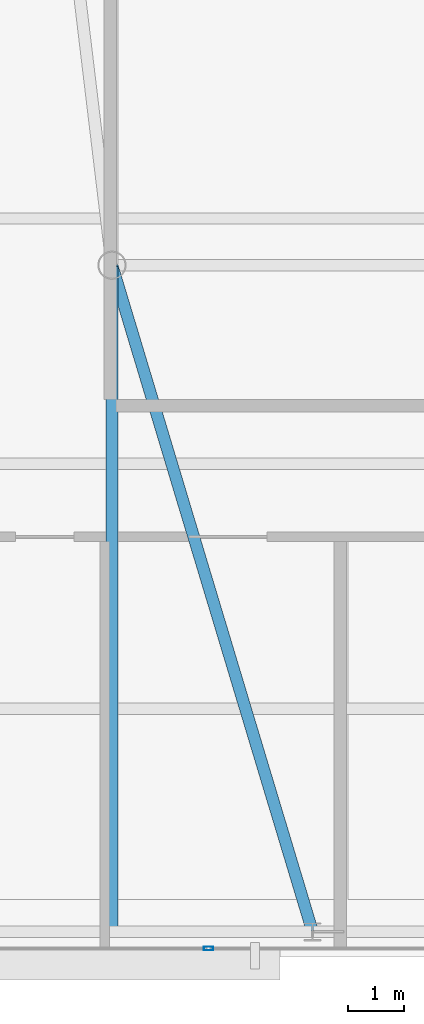
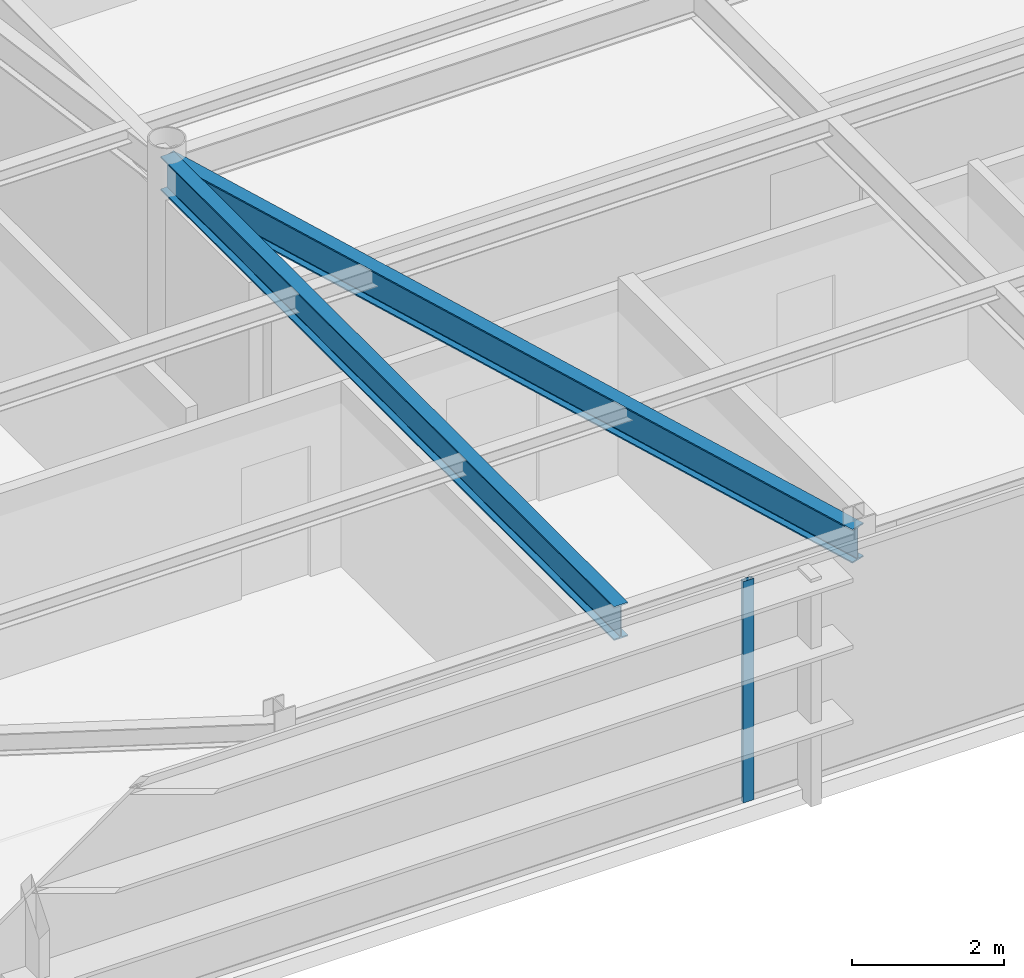
# One storey, part 6 of 24: 2 beams, 1 member, 1 element without a shape of its own.
"""IFC4 building model written with IfcOpenShell, lengths in metres."""

import ifcopenshell
import ifcopenshell.guid

model = None  # the IFC model being written
_history = None  # IfcOwnerHistory: only IFC2X3 demands one
_inside = {}  # id of a spatial element -> (the spatial element, [elements in it])
_under = {}  # id of a project, library or spatial element -> (it, [spatial elements below it])
_declared = {}  # id of a project -> (the project, [libraries it declares])
_typed = {}  # id of a type object -> (the type object, [elements of that type])
_made_of = {}  # id of a material, layer set ... -> (it, [elements and type objects made of it])


def new_model(schema):
    """Start an empty IFC model of exactly this schema.

    Asked for "IFC4X3", IfcOpenShell would pick the latest addendum, in which some entities
    have other attributes; the version numbers below select the first issue.
    IFC2X3 requires an IfcOwnerHistory on every rooted entity: one is made here for all.
    """
    global model, _history
    if schema == "IFC4X3":
        model = ifcopenshell.file(schema_version=(4, 3, 0, 0))
    else:
        model = ifcopenshell.file(schema=schema)
    _inside.clear()
    _under.clear()
    _declared.clear()
    _typed.clear()
    _made_of.clear()
    _history = None
    if model.schema == "IFC2X3":
        org = make("IfcOrganization", Name="unknown")
        user = make(
            "IfcPersonAndOrganization",
            ThePerson=make("IfcPerson", FamilyName="unknown"),
            TheOrganization=org,
        )
        app = make(
            "IfcApplication",
            ApplicationDeveloper=org,
            Version="unknown",
            ApplicationFullName="unknown",
            ApplicationIdentifier="unknown",
        )
        _history = make(
            "IfcOwnerHistory",
            OwningUser=user,
            OwningApplication=app,
            ChangeAction="ADDED",
            CreationDate=0,
        )
    return model


def make(cls, **values):
    """One entity of the class cls with the attributes given. An attribute that is None is left unset."""
    return model.create_entity(
        cls, **{name: value for name, value in values.items() if value is not None}
    )


def rooted(cls, **values):
    """An entity with a GlobalId (a new one), such as an element, a storey or a relation."""
    return make(cls, GlobalId=ifcopenshell.guid.new(), OwnerHistory=_history, **values)


def si_unit(unit_type, name, prefix=None):
    """IfcSIUnit, for example si_unit("LENGTHUNIT", "METRE", prefix="MILLI")."""
    return make("IfcSIUnit", UnitType=unit_type, Prefix=prefix, Name=name)


def assignment(units):
    """IfcUnitAssignment: the units of a project."""
    return None if units is None else make("IfcUnitAssignment", Units=units)


def point(xyz):
    """IfcCartesianPoint."""
    return None if xyz is None else make("IfcCartesianPoint", Coordinates=xyz)


def direction(xyz):
    """IfcDirection."""
    return None if xyz is None else make("IfcDirection", DirectionRatios=xyz)


def frame(location, z_axis=None, x_axis=None):
    """IfcAxis2Placement3D, a coordinate frame: its origin and axes. An axis left out is left unset."""
    return make(
        "IfcAxis2Placement3D",
        Location=point(location),
        Axis=direction(z_axis),
        RefDirection=direction(x_axis),
    )


def frame_2d(location, x_axis=None):
    """IfcAxis2Placement2D, a coordinate frame in the plane: its origin and x axis."""
    return make(
        "IfcAxis2Placement2D", Location=point(location), RefDirection=direction(x_axis)
    )


def origin():
    """The frame at (0, 0, 0) with its axes left unset."""
    return frame((0.0, 0.0, 0.0))


def origin_2d():
    """The frame at (0, 0) in the plane with its x axis left unset."""
    return frame_2d((0.0, 0.0))


def place(relative_to, where):
    """IfcLocalPlacement: puts the frame where relative to a parent placement (None: the world)."""
    return make(
        "IfcLocalPlacement", PlacementRelTo=relative_to, RelativePlacement=where
    )


def context(
    kind, dimensions, precision=None, world=None, true_north=None, identifier=None
):
    """IfcGeometricRepresentationContext, for example the 3D "Model" context."""
    return make(
        "IfcGeometricRepresentationContext",
        ContextIdentifier=identifier,
        ContextType=kind,
        CoordinateSpaceDimension=dimensions,
        Precision=precision,
        WorldCoordinateSystem=world,
        TrueNorth=true_north,
    )


def subcontext(parent, identifier, kind, view, scale=None):
    """IfcGeometricRepresentationSubContext, for example "Body" below "Model"."""
    return make(
        "IfcGeometricRepresentationSubContext",
        ContextIdentifier=identifier,
        ContextType=kind,
        ParentContext=parent,
        TargetScale=scale,
        TargetView=view,
    )


def project(units=None, contexts=None):
    """IfcProject with its units and contexts."""
    return rooted(
        "IfcProject",
        Name="project",
        RepresentationContexts=contexts,
        UnitsInContext=assignment(units),
    )


def spatial(cls, under=None, at=None, **own):
    """A site, building, storey or space (cls), placed at a placement, below another one or the project."""
    s = rooted(cls, ObjectPlacement=at, **own)
    if under is not None:
        _under.setdefault(under.id(), (under, []))[1].append(s)
    return s


def profile(cls, at=None, kind="AREA", **sizes):
    """A parametric profile (cls). Its sizes go by their IFC names, for example OverallWidth=200.0."""
    return make(cls, ProfileType=kind, Position=at, **sizes)


def hollow_rectangle(**sizes):
    """IfcRectangleHollowProfileDef."""
    return profile("IfcRectangleHollowProfileDef", **sizes)


def i_section(**sizes):
    """IfcIShapeProfileDef."""
    return profile("IfcIShapeProfileDef", **sizes)


def extrude(swept, where, along, depth):
    """IfcExtrudedAreaSolid: the profile swept, set in the frame where, extruded along a direction by depth."""
    return make(
        "IfcExtrudedAreaSolid",
        SweptArea=swept,
        Position=where,
        ExtrudedDirection=direction(along),
        Depth=depth,
    )


def shape(context_of_items, identifier, shape_type, items):
    """IfcShapeRepresentation: the items that make up one representation, for example the "Body"."""
    return make(
        "IfcShapeRepresentation",
        ContextOfItems=context_of_items,
        RepresentationIdentifier=identifier,
        RepresentationType=shape_type,
        Items=items,
    )


def source(mapping_origin, context_of_items, identifier, shape_type, items):
    """IfcRepresentationMap: a shape defined once, which mapped items show again and again."""
    return make(
        "IfcRepresentationMap",
        MappingOrigin=mapping_origin,
        MappedRepresentation=shape(context_of_items, identifier, shape_type, items),
    )


def transform(
    local_origin,
    x_axis=None,
    y_axis=None,
    z_axis=None,
    scale=None,
    scale2=None,
    scale3=None,
    uniform=True,
):
    """IfcCartesianTransformationOperator3D, or its non-uniform kind. x_axis, y_axis, z_axis: its Axis1, 2, 3."""
    if uniform:
        return make(
            "IfcCartesianTransformationOperator3D",
            Axis1=direction(x_axis),
            Axis2=direction(y_axis),
            LocalOrigin=point(local_origin),
            Scale=scale,
            Axis3=direction(z_axis),
        )
    return make(
        "IfcCartesianTransformationOperator3DnonUniform",
        Axis1=direction(x_axis),
        Axis2=direction(y_axis),
        LocalOrigin=point(local_origin),
        Scale=scale,
        Axis3=direction(z_axis),
        Scale2=scale2,
        Scale3=scale3,
    )


def mapped(mapping_source, mapping_target):
    """IfcMappedItem: shows the shape of a source again, moved by a transform."""
    return make(
        "IfcMappedItem", MappingSource=mapping_source, MappingTarget=mapping_target
    )


def material(Name=None, Category=None):
    """IfcMaterial."""
    return make("IfcMaterial", Name=Name, Category=Category)


def layer(
    of_material, thickness, ventilated=None, Name=None, Category=None, Priority=None
):
    """IfcMaterialLayer: one layer of a wall or slab, of a material (None: an air gap)."""
    return make(
        "IfcMaterialLayer",
        Material=of_material,
        LayerThickness=thickness,
        IsVentilated=ventilated,
        Name=Name,
        Category=Category,
        Priority=Priority,
    )


def layer_set(layers, Name=None):
    """IfcMaterialLayerSet."""
    return make("IfcMaterialLayerSet", MaterialLayers=layers, LayerSetName=Name)


def material_profile(
    of_material, cross_section, Name=None, Category=None, Priority=None
):
    """IfcMaterialProfile: a cross section and its material."""
    return make(
        "IfcMaterialProfile",
        Name=Name,
        Material=of_material,
        Profile=cross_section,
        Priority=Priority,
        Category=Category,
    )


def profile_set(profiles, Name=None, composite=None):
    """IfcMaterialProfileSet."""
    return make(
        "IfcMaterialProfileSet",
        Name=Name,
        MaterialProfiles=profiles,
        CompositeProfile=composite,
    )


def made_of(thing, what):
    """Note that an element or type object is made of a material, layer set ...; save() writes the relation."""
    if what is not None:
        _made_of.setdefault(what.id(), (what, []))[1].append(thing)
    return thing


def type_object(cls, material=None, **own):
    """A type object (cls), such as IfcWallType, which elements share."""
    return made_of(rooted(cls, **own), material)


def type_shapes(of_type, sources):
    """Give a type object the sources (RepresentationMaps) that its elements show as mapped items."""
    of_type.RepresentationMaps = sources


def element(
    cls,
    number,
    at=None,
    inside=None,
    cuts=None,
    type_object=None,
    material=None,
    context=None,
    identifier="Body",
    shape_type=None,
    held_by="IfcProductDefinitionShape",
    body=None,
    shapes=None,
    **own,
):
    """One element of the class cls, such as IfcWall. Its Tag is "e" and its number.

    at: its placement. inside: the storey or other place that contains it. cuts: it is an
    opening in that element (IfcRelVoidsElement). A single representation is given by context,
    identifier, shape_type and body (its items); several are given by shapes. held_by: the class
    of the entity that holds the representations. save() writes the other relations.
    """
    e = rooted(cls, Tag="e%d" % number, ObjectPlacement=at, **own)
    if body is not None:
        shapes = [shape(context, identifier, shape_type, body)]
    if shapes is not None:
        e.Representation = make(held_by, Representations=shapes)
    if inside is not None:
        _inside.setdefault(inside.id(), (inside, []))[1].append(e)
    if cuts is not None:
        rooted(
            "IfcRelVoidsElement", RelatingBuildingElement=cuts, RelatedOpeningElement=e
        )
    if type_object is not None:
        _typed.setdefault(type_object.id(), (type_object, []))[1].append(e)
    return made_of(e, material)


def aggregate(whole, parts):
    """IfcRelAggregates: a whole, such as a stair, and the parts it consists of."""
    return rooted("IfcRelAggregates", RelatingObject=whole, RelatedObjects=parts)


def save(model, path):
    """Write the relations noted so far, then the file.

    IfcRelAggregates (storeys below a building ...), IfcRelContainedInSpatialStructure (elements
    in a storey), IfcRelDefinesByType, IfcRelAssociatesMaterial and IfcRelDeclares: one each for
    every whole, place, type object, material and project.
    """
    for whole, parts in _under.values():
        aggregate(whole, parts)
    for where, things in _inside.values():
        rooted(
            "IfcRelContainedInSpatialStructure",
            RelatedElements=things,
            RelatingStructure=where,
        )
    for kind, things in _typed.values():
        rooted("IfcRelDefinesByType", RelatedObjects=things, RelatingType=kind)
    for what, things in _made_of.values():
        rooted("IfcRelAssociatesMaterial", RelatedObjects=things, RelatingMaterial=what)
    for by, libraries in _declared.values():
        rooted("IfcRelDeclares", RelatingContext=by, RelatedDefinitions=libraries)
    model.write(path)


model = new_model("IFC4")

# Units and contexts
model_context = context("Model", 3, precision=1e-05, world=origin(), true_north=direction((0.0, 1.0)))
body_context = subcontext(model_context, "Body", "Model", "MODEL_VIEW")
ifc_project = project(units=[si_unit("LENGTHUNIT", "METRE"), si_unit("AREAUNIT", "SQUARE_METRE"), si_unit("VOLUMEUNIT", "CUBIC_METRE"), si_unit("PLANEANGLEUNIT", "RADIAN"), si_unit("MASSUNIT", "GRAM", prefix="KILO")], contexts=[model_context])

# Site, building, storey
site_placement = place(None, origin())
site = spatial("IfcSite", under=ifc_project, at=site_placement, CompositionType="ELEMENT")
building_placement = place(site_placement, origin())
building = spatial("IfcBuilding", under=site, at=building_placement, Name="Varnel Quay Broadcast Tower", CompositionType="ELEMENT")
storey_placement = place(building_placement, frame((0.0, 0.0, 292.60009765625)))
storey = spatial("IfcBuildingStorey", under=building, at=storey_placement, Name="L73", CompositionType="ELEMENT", Elevation=292.60009765625)

# Beams
ifc_material_1 = material(Name="Structural Steel CSA G40.21 350W", Category="steel")
ifc_material_profile_1 = material_profile(ifc_material_1, i_section(OverallWidth=0.2119140625, OverallDepth=0.5439453125, WebThickness=0.01318359375, FlangeThickness=0.021240234375, FilletRadius=0.013916015625, at=origin_2d()), Name="W530X123")
ifc_profile_set_1 = profile_set([ifc_material_profile_1], Name="Structural Steel CSA G40.21 350W")
beam_type = type_object("IfcBeamType", Name="Girder_W530X123", PredefinedType="BEAM", material=ifc_profile_set_1)
shared_shape_1 = source(origin(), body_context, "Body", "SweptSolid", [
    extrude(i_section(OverallWidth=0.2119140625, OverallDepth=0.5439453125, WebThickness=0.01318359375, FlangeThickness=0.021240234375, FilletRadius=0.013916015625, at=origin_2d()), origin(), (0.0, 0.0, 1.0), 12.449951171875),
])
beam_1_placement = place(storey_placement, frame((29.59423828125, 13.669189453125, 3.27783203125), z_axis=(-0.28822390679, 0.957563042078, 0.0), x_axis=(-0.957563042078, -0.28822390679, 0.0)))
element("IfcBeam", 1, at=beam_1_placement, inside=storey, type_object=beam_type, Name="L73 Primary Girder TC-S2-IC-01", PredefinedType="BEAM", context=body_context, shape_type="MappedRepresentation", body=[
    mapped(shared_shape_1, transform((0.0, 0.0, 0.0), x_axis=(1.0, 0.0, 0.0), y_axis=(0.0, 1.0, 0.0), z_axis=(0.0, 0.0, 1.0), scale=1.0)),
])
shared_shape_2 = source(origin(), body_context, "Body", "SweptSolid", [
    extrude(i_section(OverallWidth=0.2119140625, OverallDepth=0.5439453125, WebThickness=0.01318359375, FlangeThickness=0.021240234375, FilletRadius=0.013916015625, at=origin_2d()), origin(), (0.0, 0.0, 1.0), 11.920166015625),
])
type_shapes(beam_type, [shared_shape_1, shared_shape_2])
beam_2_placement = place(storey_placement, frame((26.0, 13.669921875, 3.27783203125), z_axis=(0.0, 1.0, 0.0), x_axis=(-1.0, 0.0, 0.0)))
element("IfcBeam", 2, at=beam_2_placement, inside=storey, type_object=beam_type, Name="L73 N-S Joist Header IC-01S", PredefinedType="BEAM", context=body_context, shape_type="MappedRepresentation", body=[
    mapped(shared_shape_2, transform((0.0, 0.0, 0.0), x_axis=(1.0, 0.0, 0.0), y_axis=(0.0, 1.0, 0.0), z_axis=(0.0, 0.0, 1.0), scale=1.0)),
])

# Curtain wall, member
ifc_material_2 = material(Name="Anodised Bronze Aluminium 6063-T6", Category="aluminium")
ifc_layer = layer(ifc_material_2, 0.18994140625, Name="Anodised Bronze Aluminium 6063-T6")
ifc_layer_set = layer_set([ifc_layer], Name="Anodised Bronze Aluminium 6063-T6")
curtain_wall_type = type_object("IfcCurtainWallType", Name="CW_UpperTower", PredefinedType="NOTDEFINED", material=ifc_layer_set)
curtain_wall_placement = place(storey_placement, origin())
curtain_wall = element("IfcCurtainWall", 3, at=curtain_wall_placement, inside=storey, type_object=curtain_wall_type, Name="L73 South Unitised Curtain Wall 1", PredefinedType="NOTDEFINED")
ifc_material_profile_2 = material_profile(ifc_material_2, hollow_rectangle(XDim=0.06494140625, YDim=0.1650390625, WallThickness=0.00341796875, at=origin_2d()), Name="ALU65X165X3.5")
ifc_profile_set_2 = profile_set([ifc_material_profile_2], Name="Anodised Bronze Aluminium 6063-T6")
member_type = type_object("IfcMemberType", Name="Mull_CWS-03", PredefinedType="MULLION", material=ifc_profile_set_2)
shared_shape_3 = source(origin(), body_context, "Body", "SweptSolid", [
    extrude(hollow_rectangle(XDim=0.06494140625, YDim=0.1650390625, WallThickness=0.00341796875, at=origin_2d()), origin(), (0.0, 0.0, 1.0), 3.5498046875),
])
type_shapes(member_type, [shared_shape_3])
member_placement = place(storey_placement, frame((27.7333984375, 13.35009765625, 0.0), z_axis=(0.0, 0.0, 1.0), x_axis=(0.0, 1.0, 0.0)))
member = element("IfcMember", 4, at=member_placement, type_object=member_type, Name="CWS-03 mullion 2", PredefinedType="MULLION", context=body_context, shape_type="MappedRepresentation", body=[
    mapped(shared_shape_3, transform((0.0, 0.0, 0.0), x_axis=(1.0, 0.0, 0.0), y_axis=(0.0, 1.0, 0.0), z_axis=(0.0, 0.0, 1.0), scale=1.0)),
])
aggregate(curtain_wall, [member])

save(model, "model.ifc")
